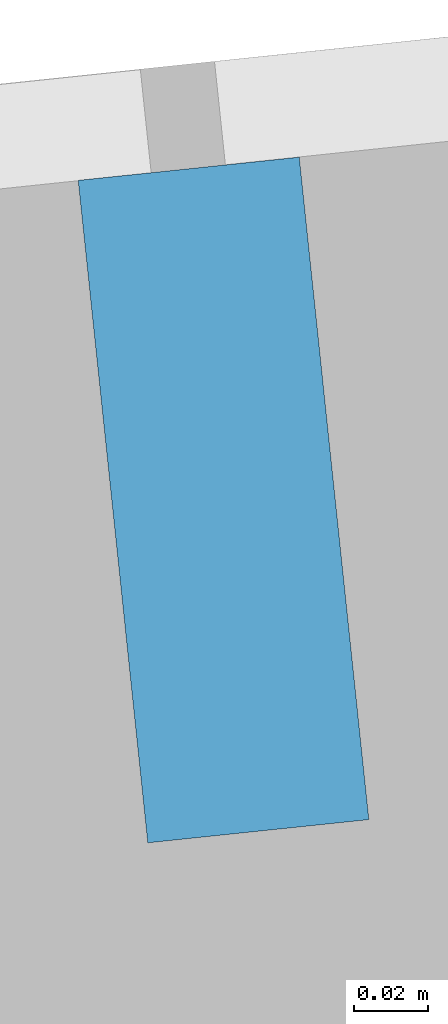
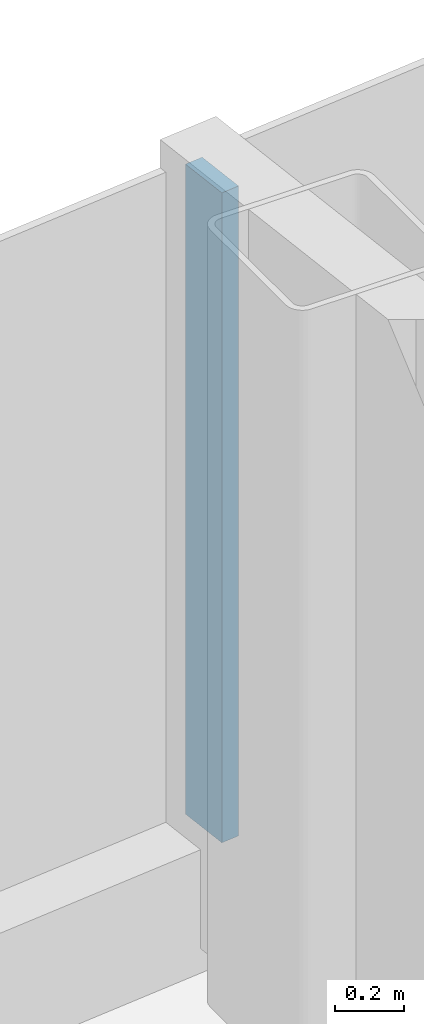
# One storey, part 9 of 27: 1 member, 1 element without a shape of its own.
"""IFC4 building model written with IfcOpenShell, lengths in metres."""

from ifc_helpers import new_model, si_unit, direction, frame, origin, origin_2d, place, context, subcontext, project, spatial, rectangle, extrude, material, layer, layer_set, material_profile, profile_set, type_object, element, aggregate, save


model = new_model("IFC4")

# Units and contexts
model_context = context("Model", 3, precision=1e-05, world=origin(), true_north=direction((0.0, 1.0)))
body_context = subcontext(model_context, "Body", "Model", "MODEL_VIEW")
ifc_project = project(units=[si_unit("LENGTHUNIT", "METRE"), si_unit("AREAUNIT", "SQUARE_METRE"), si_unit("VOLUMEUNIT", "CUBIC_METRE"), si_unit("PLANEANGLEUNIT", "RADIAN"), si_unit("MASSUNIT", "GRAM", prefix="KILO")], contexts=[model_context])

# Site, building, storey
site_placement = place(None, origin())
site = spatial("IfcSite", under=ifc_project, at=site_placement, CompositionType="ELEMENT")
building_placement = place(site_placement, origin())
building = spatial("IfcBuilding", under=site, at=building_placement, Name="Hakoniwa Tower and Hamabe Station Hall", CompositionType="ELEMENT")
storey_placement = place(building_placement, frame((0.0, 0.0, 261.39990234375)))
storey = spatial("IfcBuildingStorey", under=building, at=storey_placement, Name="L74", CompositionType="ELEMENT", Elevation=261.39990234375)

# Curtain wall, member
ifc_material_1 = material(Name="Dark low-e laminated glass", Category="glass")
ifc_layer = layer(ifc_material_1, 0.199951171875)
ifc_layer_set = layer_set([ifc_layer], Name="CW-1 UNITISED GUEST")
curtain_wall_type = type_object("IfcCurtainWallType", Name="CW-1 UNITISED GUEST", PredefinedType="NOTDEFINED", material=ifc_layer_set)
curtain_wall_placement = place(storey_placement, origin())
curtain_wall = element("IfcCurtainWall", 1, at=curtain_wall_placement, inside=storey, type_object=curtain_wall_type, Name="CW-1 curtain wall", PredefinedType="NOTDEFINED")
ifc_material_2 = material(Name="Aluminium 6063-T5 black anodised", Category="aluminium")
ifc_material_profile = material_profile(ifc_material_2, rectangle(XDim=0.06005859375, YDim=0.179931640625, at=origin_2d()), Name="CW-1 MULLION 60X180")
ifc_profile_set = profile_set([ifc_material_profile], Name="Aluminium 6063-T5 black anodised")
member_type = type_object("IfcMemberType", Name="CW-1 MULLION 60X180", PredefinedType="MULLION", material=ifc_profile_set)
member_placement = place(storey_placement, frame((-1.7958984375, 19.587890625, 0.35009765625), z_axis=(0.0, 0.0, 1.0), x_axis=(-0.994521895272, -0.104528464188, 0.0)))
member = element("IfcMember", 2, at=member_placement, type_object=member_type, Name="CW-1 mullion", PredefinedType="MULLION", context=body_context, shape_type="SweptSolid", body=[
    extrude(rectangle(XDim=0.06005859375, YDim=0.179931640625, at=origin_2d()), origin(), (0.0, 0.0, 1.0), 2.300048828125),
])
aggregate(curtain_wall, [member])

save(model, "model.ifc")
